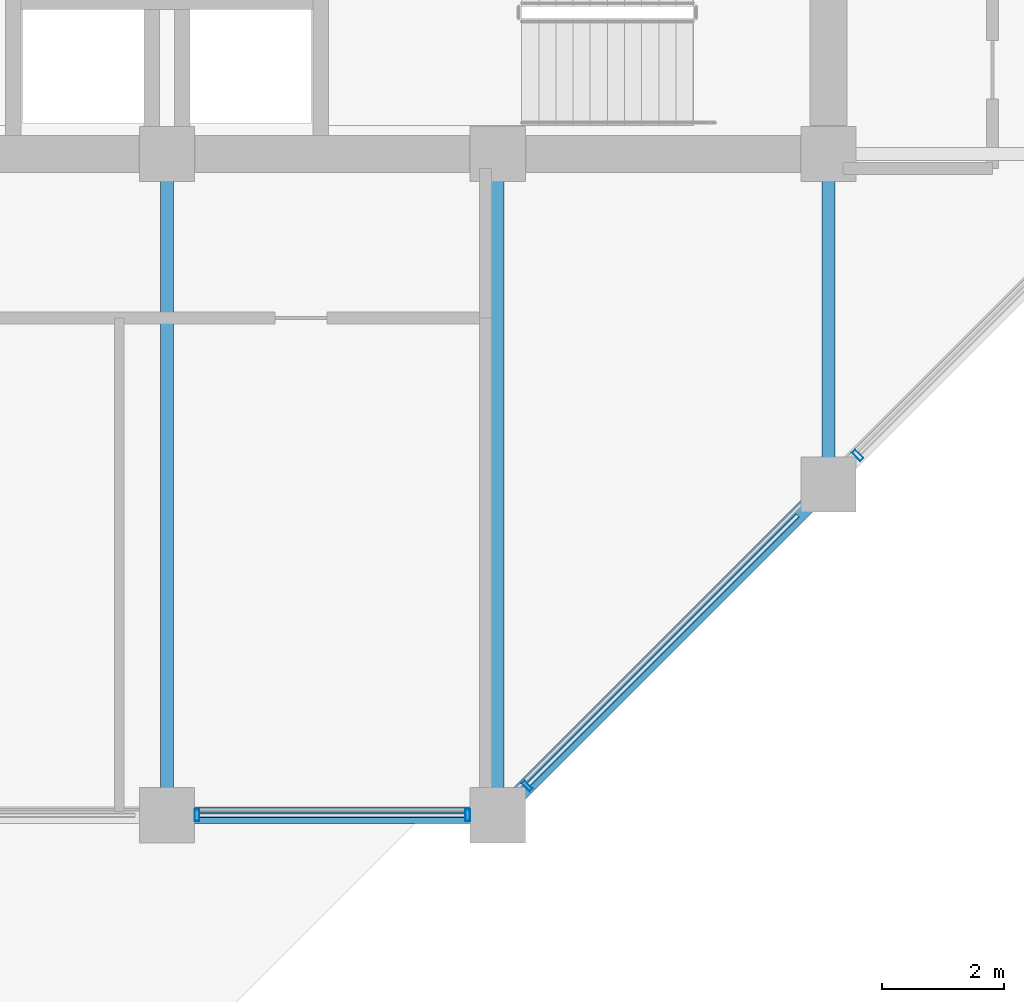
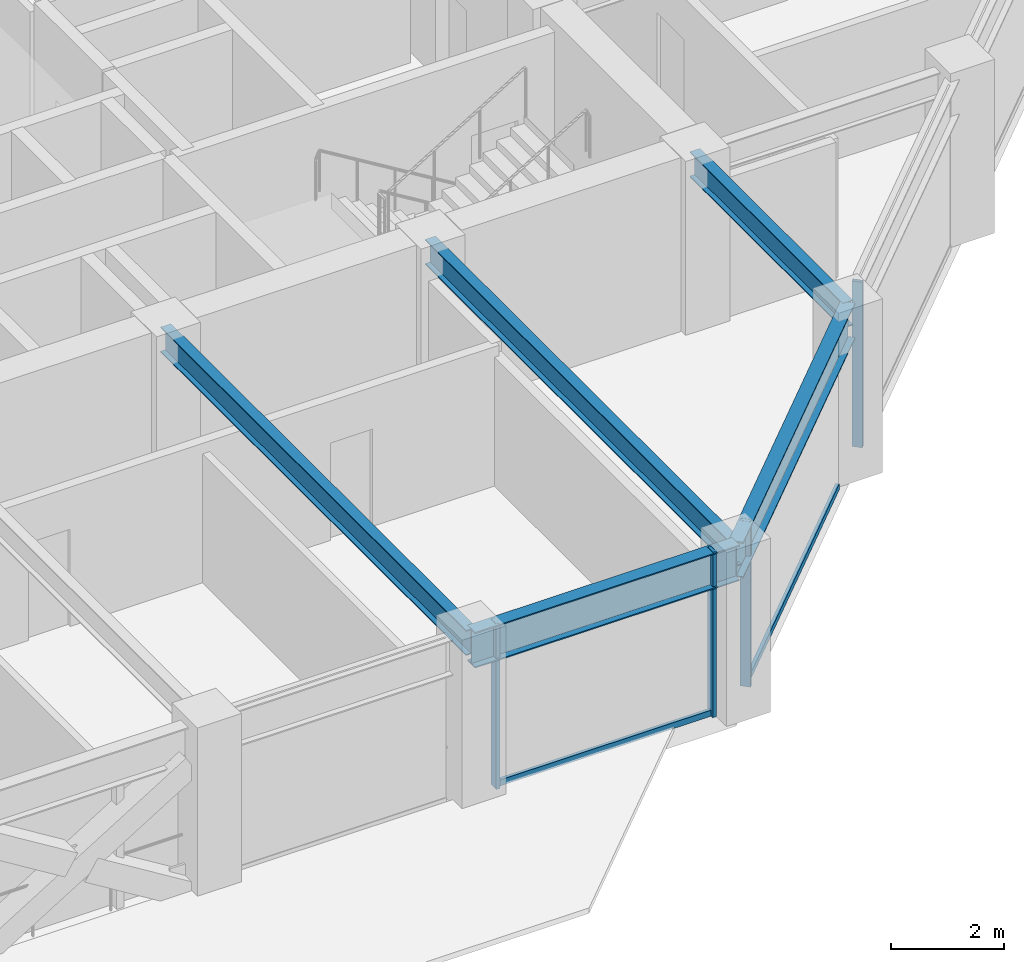
# One storey, part 11 of 36: 6 members, 5 beams, 2 elements without a shape of their own.
"""IFC4 building model written with IfcOpenShell, lengths in metres."""

from ifc_helpers import new_model, si_unit, direction, frame, origin, origin_2d, place, context, subcontext, project, spatial, hollow_rectangle, i_section, extrude, material, layer, layer_set, material_profile, profile_set, type_object, element, aggregate, save


model = new_model("IFC4")

# Units and contexts
model_context = context("Model", 3, precision=1e-05, world=origin(), true_north=direction((0.0, 1.0)))
body_context = subcontext(model_context, "Body", "Model", "MODEL_VIEW")
ifc_project = project(units=[si_unit("LENGTHUNIT", "METRE"), si_unit("AREAUNIT", "SQUARE_METRE"), si_unit("VOLUMEUNIT", "CUBIC_METRE"), si_unit("PLANEANGLEUNIT", "RADIAN"), si_unit("MASSUNIT", "GRAM", prefix="KILO")], contexts=[model_context])

# Site, building, storey
site_placement = place(None, origin())
site = spatial("IfcSite", under=ifc_project, at=site_placement, CompositionType="ELEMENT")
building_placement = place(site_placement, origin())
building = spatial("IfcBuilding", under=site, at=building_placement, Name="Surkhivell Harbour Commons", CompositionType="ELEMENT")
storey_placement = place(building_placement, frame((0.0, 0.0, 171.0)))
storey = spatial("IfcBuildingStorey", under=building, at=storey_placement, Name="L44", CompositionType="ELEMENT", Elevation=171.0)

# Beams
ifc_material_1 = material(Name="Steel S355", Category="steel")
ifc_material_profile_1 = material_profile(ifc_material_1, i_section(OverallWidth=0.2119140625, OverallDepth=0.5439453125, WebThickness=0.0126953125, FlangeThickness=0.021240234375, at=origin_2d()), Name="UB533x210x122")
ifc_profile_set_1 = profile_set([ifc_material_profile_1], Name="Steel S355")
beam_type_1 = type_object("IfcBeamType", Name="BM-GRD-533A", PredefinedType="BEAM", material=ifc_profile_set_1)
for number, where, z_axis, x_axis, name in (
    (1, (0.0, -21.60009765625, 3.298095703125), (0.0, 1.0, 0.0), (-1.0, 0.0, 0.0), "L44 Floor Girder (0.0,-21.6)"),
    (2, (5.39990234375, -21.60009765625, 3.298095703125), (0.0, 1.0, 0.0), (-1.0, 0.0, 0.0), "L44 Floor Girder (5.4,-21.6)"),
):
    element("IfcBeam", number, at=place(storey_placement, frame(where, z_axis=z_axis, x_axis=x_axis)), inside=storey, type_object=beam_type_1, Name=name, PredefinedType="BEAM", context=body_context, shape_type="SweptSolid", body=[
        extrude(i_section(OverallWidth=0.2119140625, OverallDepth=0.5439453125, WebThickness=0.0126953125, FlangeThickness=0.021240234375, at=origin_2d()), origin(), (0.0, 0.0, 1.0), 10.800048828125),
    ])
beam_1_placement = place(storey_placement, frame((10.800048828125, -16.199951171875, 3.298095703125), z_axis=(0.0, 1.0, 0.0), x_axis=(-1.0, 0.0, 0.0)))
element("IfcBeam", 3, at=beam_1_placement, inside=storey, type_object=beam_type_1, Name="L44 Floor Girder (10.8,-16.2)", PredefinedType="BEAM", context=body_context, shape_type="SweptSolid", body=[
    extrude(i_section(OverallWidth=0.2119140625, OverallDepth=0.5439453125, WebThickness=0.0126953125, FlangeThickness=0.021240234375, at=origin_2d()), origin(), (0.0, 0.0, 1.0), 5.39990234375),
])
ifc_material_profile_2 = material_profile(ifc_material_1, i_section(OverallWidth=0.26806640625, OverallDepth=0.77001953125, WebThickness=0.015625, FlangeThickness=0.025390625, at=origin_2d()), Name="UB762x267x197")
ifc_profile_set_2 = profile_set([ifc_material_profile_2], Name="Steel S355")
beam_type_2 = type_object("IfcBeamType", Name="BM-SPN-762", PredefinedType="SPANDREL", material=ifc_profile_set_2)
beam_2_placement = place(storey_placement, frame((0.0, -21.60009765625, 3.18505859375), z_axis=(1.0, 0.0, 0.0), x_axis=(0.0, 1.0, 0.0)))
element("IfcBeam", 4, at=beam_2_placement, inside=storey, type_object=beam_type_2, Name="L44 Tube Spandrel (-0.0,-21.6)", PredefinedType="SPANDREL", context=body_context, shape_type="SweptSolid", body=[
    extrude(i_section(OverallWidth=0.26806640625, OverallDepth=0.77001953125, WebThickness=0.015625, FlangeThickness=0.025390625, at=origin_2d()), origin(), (0.0, 0.0, 1.0), 5.39990234375),
])
beam_3_placement = place(storey_placement, frame((5.39990234375, -21.60009765625, 3.18505859375), z_axis=(0.707106781187, 0.707106781187, 0.0), x_axis=(-0.707106781187, 0.707106781187, 0.0)))
element("IfcBeam", 5, at=beam_3_placement, inside=storey, type_object=beam_type_2, Name="L44 Tube Spandrel (5.4,-21.6)", PredefinedType="SPANDREL", context=body_context, shape_type="SweptSolid", body=[
    extrude(i_section(OverallWidth=0.26806640625, OverallDepth=0.77001953125, WebThickness=0.015625, FlangeThickness=0.025390625, at=origin_2d()), origin(), (0.0, 0.0, 1.0), 7.636962890625),
])

# Curtain wall, members
ifc_material_2 = material(Name="Anodised pale-metal aluminium and insulated glazing", Category="aluminium")
ifc_layer = layer(ifc_material_2, 0.18994140625)
ifc_layer_set = layer_set([ifc_layer], Name="Anodised pale-metal aluminium and insulated glazing")
curtain_wall_type = type_object("IfcCurtainWallType", Name="CW-SYS-Z3", PredefinedType="NOTDEFINED", material=ifc_layer_set)
curtain_wall_1_placement = place(storey_placement, origin())
curtain_wall_1 = element("IfcCurtainWall", 6, at=curtain_wall_1_placement, inside=storey, type_object=curtain_wall_type, Name="L44 Curtain Wall CW-L44-E00S2", PredefinedType="NOTDEFINED")
ifc_material_3 = material(Name="Anodised pale-metal aluminium alloy 6063-T6", Category="aluminium")
ifc_material_profile_3 = material_profile(ifc_material_3, hollow_rectangle(XDim=0.074951171875, YDim=0.18994140625, WallThickness=0.00390625, at=origin_2d()), Name="ALU-MULL-75x190")
ifc_profile_set_3 = profile_set([ifc_material_profile_3], Name="Anodised pale-metal aluminium alloy 6063-T6")
member_type_1 = type_object("IfcMemberType", Name="CWM-190", PredefinedType="MULLION", material=ifc_profile_set_3)
member_1_placement = place(storey_placement, frame((0.489501953125, -21.60009765625, 0.0), z_axis=(0.0, 0.0, 1.0), x_axis=(1.0, 0.0, 0.0)))
member_1 = element("IfcMember", 7, at=member_1_placement, type_object=member_type_1, Name="CW-Z3 mullion 2", PredefinedType="MULLION", context=body_context, shape_type="SweptSolid", body=[
    extrude(hollow_rectangle(XDim=0.074951171875, YDim=0.18994140625, WallThickness=0.00390625, at=origin_2d()), origin(), (0.0, 0.0, 1.0), 3.570068359375),
])
member_2_placement = place(storey_placement, frame((4.910400390625, -21.60009765625, 0.0), z_axis=(0.0, 0.0, 1.0), x_axis=(1.0, 0.0, 0.0)))
member_2 = element("IfcMember", 8, at=member_2_placement, type_object=member_type_1, Name="CW-Z3 mullion 3", PredefinedType="MULLION", context=body_context, shape_type="SweptSolid", body=[
    extrude(hollow_rectangle(XDim=0.074951171875, YDim=0.18994140625, WallThickness=0.00390625, at=origin_2d()), origin(), (0.0, 0.0, 1.0), 3.570068359375),
])

curtain_wall_2_placement = place(storey_placement, origin())
curtain_wall_2 = element("IfcCurtainWall", 9, at=curtain_wall_2_placement, inside=storey, type_object=curtain_wall_type, Name="L44 Curtain Wall CW-L44-E01", PredefinedType="NOTDEFINED")
member_3_placement = place(storey_placement, frame((5.878173828125, -21.121826171875, 0.0), z_axis=(0.0, 0.0, 1.0), x_axis=(0.707106781187, 0.707106781187, 0.0)))
member_3 = element("IfcMember", 10, at=member_3_placement, type_object=member_type_1, Name="CW-Z3 mullion 1", PredefinedType="MULLION", context=body_context, shape_type="SweptSolid", body=[
    extrude(hollow_rectangle(XDim=0.074951171875, YDim=0.18994140625, WallThickness=0.00390625, at=origin_2d()), origin(), (0.0, 0.0, 1.0), 3.570068359375),
])
member_4_placement = place(storey_placement, frame((11.278076171875, -15.721923828125, 0.0), z_axis=(0.0, 0.0, 1.0), x_axis=(0.707106781187, 0.707106781187, 0.0)))
member_4 = element("IfcMember", 11, at=member_4_placement, type_object=member_type_1, Name="CW-Z3 mullion 2", PredefinedType="MULLION", context=body_context, shape_type="SweptSolid", body=[
    extrude(hollow_rectangle(XDim=0.074951171875, YDim=0.18994140625, WallThickness=0.00390625, at=origin_2d()), origin(), (0.0, 0.0, 1.0), 3.570068359375),
])

# Member
ifc_material_4 = material(Name="Champagne anodised aluminium alloy 6063-T6", Category="aluminium")
ifc_material_profile_4 = material_profile(ifc_material_4, hollow_rectangle(XDim=0.070068359375, YDim=0.1298828125, WallThickness=0.00341796875, at=origin_2d()), Name="ALU-TRAN-70x130")
ifc_profile_set_4 = profile_set([ifc_material_profile_4], Name="Champagne anodised aluminium alloy 6063-T6")
member_type_2 = type_object("IfcMemberType", Name="CWT-130", PredefinedType="USERDEFINED", material=ifc_profile_set_4)
member_5_placement = place(storey_placement, frame((0.527099609375, -21.60009765625, 0.06494140625), z_axis=(1.0, 0.0, 0.0), x_axis=(0.0, 1.0, 0.0)))
member_5 = element("IfcMember", 12, at=member_5_placement, type_object=member_type_2, Name="CW-Z3 transom 2.1", ObjectType="TRANSOM", PredefinedType="USERDEFINED", context=body_context, shape_type="SweptSolid", body=[
    extrude(hollow_rectangle(XDim=0.070068359375, YDim=0.1298828125, WallThickness=0.00341796875, at=origin_2d()), origin(), (0.0, 0.0, 1.0), 4.345947265625),
])

aggregate(curtain_wall_1, [member_1, member_2, member_5])

member_6_placement = place(storey_placement, frame((5.90478515625, -21.09521484375, 0.06494140625), z_axis=(0.707106781187, 0.707106781187, 0.0), x_axis=(-0.707106781187, 0.707106781187, 0.0)))
member_6 = element("IfcMember", 13, at=member_6_placement, type_object=member_type_2, Name="CW-Z3 transom 1.1", ObjectType="TRANSOM", PredefinedType="USERDEFINED", context=body_context, shape_type="SweptSolid", body=[
    extrude(hollow_rectangle(XDim=0.070068359375, YDim=0.1298828125, WallThickness=0.00341796875, at=origin_2d()), origin(), (0.0, 0.0, 1.0), 6.209228515625),
])

aggregate(curtain_wall_2, [member_3, member_6, member_4])

save(model, "model.ifc")
